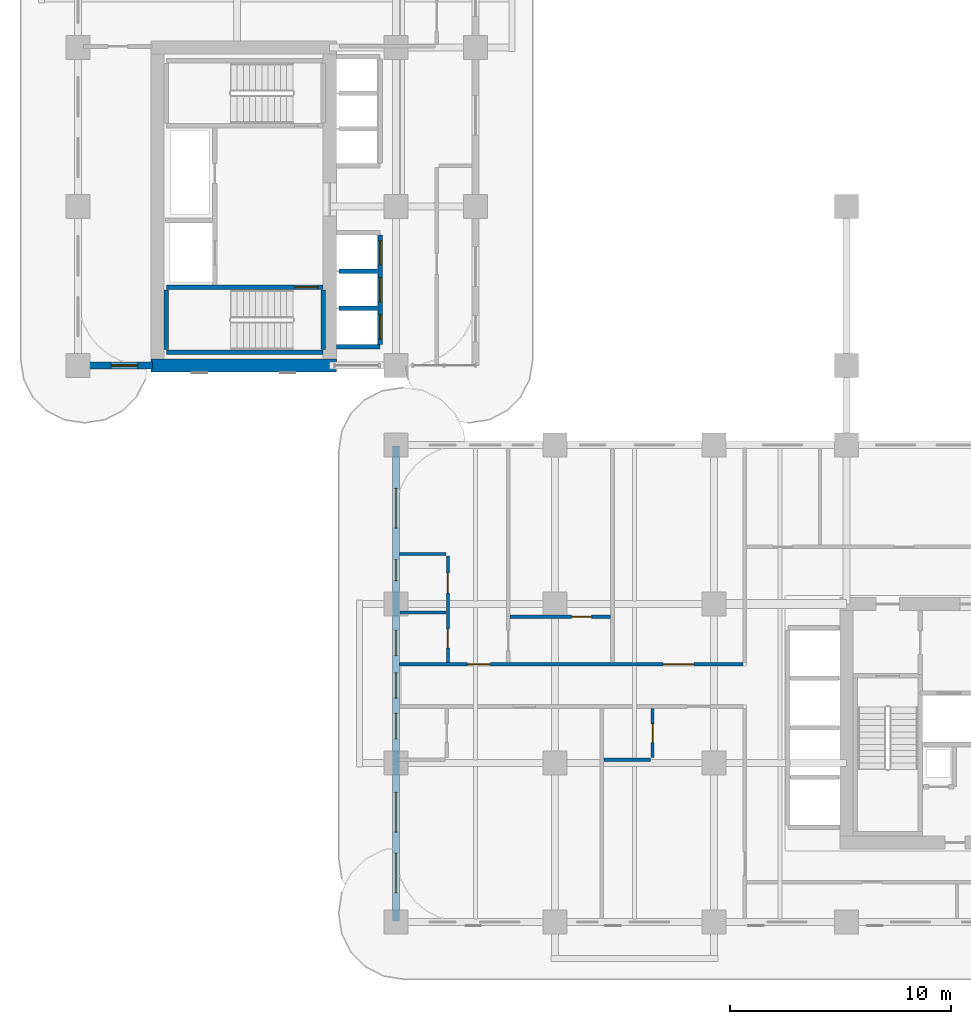
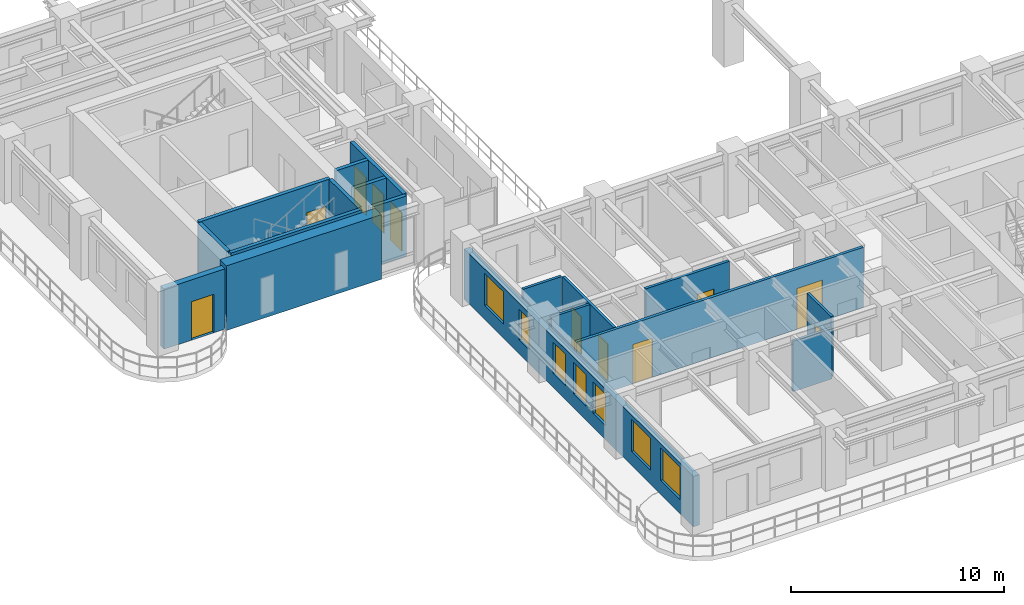
# One storey, part 7 of 19: 18 walls, 11 doors, 7 windows, 18 openings.
"""IFC4 building model written with IfcOpenShell, lengths in metres."""

from ifc_helpers import new_model, si_unit, derived_unit, direction, frame, frame_2d, origin, place, context, subcontext, project, spatial, rectangle, extrude, source, transform, mapped, material, layer, layer_set, type_object, type_shapes, element, fill, save


model = new_model("IFC4")

# Units and contexts
model_context = context("Model", 3, precision=1e-05, world=origin(), true_north=direction((0.0, 1.0)))
body_context = subcontext(model_context, "Body", "Model", "MODEL_VIEW")
ifc_project = project(units=[si_unit("LENGTHUNIT", "METRE"), si_unit("AREAUNIT", "SQUARE_METRE"), si_unit("VOLUMEUNIT", "CUBIC_METRE"), si_unit("PLANEANGLEUNIT", "RADIAN"), si_unit("MASSUNIT", "GRAM", prefix="KILO"), si_unit("THERMODYNAMICTEMPERATUREUNIT", "KELVIN"), si_unit("POWERUNIT", "WATT"), derived_unit("THERMALTRANSMITTANCEUNIT", [(si_unit("POWERUNIT", "WATT"), 1), (si_unit("AREAUNIT", "SQUARE_METRE"), -1), (si_unit("THERMODYNAMICTEMPERATUREUNIT", "KELVIN"), -1)])], contexts=[model_context])

# Site, building, storey
site_placement = place(None, origin())
site = spatial("IfcSite", under=ifc_project, at=site_placement, CompositionType="ELEMENT")
building_placement = place(site_placement, origin())
building = spatial("IfcBuilding", under=site, at=building_placement, Name="Zahravan Archway Hotel and Residences", CompositionType="ELEMENT")
storey_placement = place(building_placement, frame((0.0, 0.0, 39.800048828125)))
storey = spatial("IfcBuildingStorey", under=building, at=storey_placement, Name="L08", CompositionType="ELEMENT", Elevation=39.800048828125)

# Wall
ifc_material_1 = material(Name="Concrete C70/85", Category="concrete")
ifc_layer_1 = layer(ifc_material_1, 0.60009765625, Name="Concrete C70/85", Category="concrete")
ifc_layer_set_1 = layer_set([ifc_layer_1], Name="Concrete C70/85")
wall_type_1 = type_object("IfcWallType", Name="CW-CORE-600", PredefinedType="SHEAR", material=ifc_layer_set_1)
wall_1_placement = place(storey_placement, frame((3.300048828125, 25.199951171875, 0.0), z_axis=(0.0, 0.0, 1.0), x_axis=(1.0, 0.0, 0.0)))
element("IfcWall", 1, at=wall_1_placement, inside=storey, type_object=wall_type_1, Name="L08 Core B Shear S Wall 600 mm", PredefinedType="SHEAR", context=body_context, shape_type="SweptSolid", body=[
    extrude(rectangle(XDim=8.39990234375, YDim=0.60009765625, at=frame_2d((4.199951171875, 0.0))), origin(), (0.0, 0.0, 1.0), 3.699951171875),
])

# Wall, openings, windows
ifc_material_2 = material(Name="Agra Buff Sandstone & Insulated Backup", Category="masonry")
ifc_layer_2 = layer(ifc_material_2, 0.320068359375, Name="Agra Buff Sandstone & Insulated Backup", Category="masonry")
ifc_layer_set_2 = layer_set([ifc_layer_2], Name="Agra Buff Sandstone & Insulated Backup")
wall_type_2 = type_object("IfcWallType", Name="EW-SAND-320", PredefinedType="SOLIDWALL", material=ifc_layer_set_2)
wall_2_placement = place(storey_placement, frame((14.39990234375, 0.050048828125, 0.0), z_axis=(0.0, 0.0, 1.0), x_axis=(0.0, 1.0, 0.0)))
wall_2 = element("IfcWall", 2, at=wall_2_placement, inside=storey, type_object=wall_type_2, Name="L08 Exterior Sandstone Wall WA-W", PredefinedType="SOLIDWALL", context=body_context, shape_type="SweptSolid", body=[
    extrude(rectangle(XDim=21.5, YDim=0.320068359375, at=frame_2d((10.75, 0.0))), origin(), (0.0, 0.0, 1.0), 2.885009765625),
])
opening_1_placement = place(wall_2_placement, frame((1.27490234375, 0.0, 0.800048828125)))
opening_1 = element("IfcOpeningElement", 3, at=opening_1_placement, cuts=wall_2, Name="Opening W-02", PredefinedType="OPENING", context=body_context, shape_type="SweptSolid", body=[
    extrude(rectangle(XDim=1.800048828125, YDim=1.85009765625, at=frame_2d((0.89990234375, 0.925048828125))), frame((0.0, 0.169921875, 0.0), z_axis=(0.0, -1.0, 0.0), x_axis=(1.0, 0.0, 0.0)), (0.0, 0.0, 1.0), 0.340087890625),
])
opening_2_placement = place(wall_2_placement, frame((4.02490234375, 0.0, 0.800048828125)))
opening_2 = element("IfcOpeningElement", 4, at=opening_2_placement, cuts=wall_2, Name="Opening W-02", PredefinedType="OPENING", context=body_context, shape_type="SweptSolid", body=[
    extrude(rectangle(XDim=1.800048828125, YDim=1.85009765625, at=frame_2d((0.89990234375, 0.925048828125))), frame((0.0, 0.169921875, 0.0), z_axis=(0.0, -1.0, 0.0), x_axis=(1.0, 0.0, 0.0)), (0.0, 0.0, 1.0), 0.340087890625),
])
opening_3_placement = place(wall_2_placement, frame((8.24609375, 0.0, 0.800048828125)))
opening_3 = element("IfcOpeningElement", 5, at=opening_3_placement, cuts=wall_2, Name="Opening W-05", PredefinedType="OPENING", context=body_context, shape_type="SweptSolid", body=[
    extrude(rectangle(XDim=1.14990234375, YDim=1.800048828125, at=frame_2d((0.574951171875, 0.89990234375))), frame((0.0, 0.169921875, 0.0), z_axis=(0.0, -1.0, 0.0), x_axis=(1.0, 0.0, 0.0)), (0.0, 0.0, 1.0), 0.340087890625),
])
opening_4_placement = place(wall_2_placement, frame((10.0849609375, 0.0, 0.800048828125)))
opening_4 = element("IfcOpeningElement", 6, at=opening_4_placement, cuts=wall_2, Name="Opening W-05", PredefinedType="OPENING", context=body_context, shape_type="SweptSolid", body=[
    extrude(rectangle(XDim=1.14990234375, YDim=1.800048828125, at=frame_2d((0.574951171875, 0.89990234375))), frame((0.0, 0.169921875, 0.0), z_axis=(0.0, -1.0, 0.0), x_axis=(1.0, 0.0, 0.0)), (0.0, 0.0, 1.0), 0.340087890625),
])
opening_5_placement = place(wall_2_placement, frame((12.013916015625, 0.0, 0.800048828125)))
opening_5 = element("IfcOpeningElement", 7, at=opening_5_placement, cuts=wall_2, Name="Opening W-05", PredefinedType="OPENING", context=body_context, shape_type="SweptSolid", body=[
    extrude(rectangle(XDim=1.14990234375, YDim=1.800048828125, at=frame_2d((0.574951171875, 0.89990234375))), frame((0.0, 0.169921875, 0.0), z_axis=(0.0, -1.0, 0.0), x_axis=(1.0, 0.0, 0.0)), (0.0, 0.0, 1.0), 0.340087890625),
])
opening_6_placement = place(wall_2_placement, frame((15.406005859375, 0.0, 0.800048828125)))
opening_6 = element("IfcOpeningElement", 8, at=opening_6_placement, cuts=wall_2, Name="Opening W-04", PredefinedType="OPENING", context=body_context, shape_type="SweptSolid", body=[
    extrude(rectangle(XDim=0.949951171875, YDim=1.75, at=frame_2d((0.47509765625, 0.875))), frame((0.0, 0.169921875, 0.0), z_axis=(0.0, -1.0, 0.0), x_axis=(1.0, 0.0, 0.0)), (0.0, 0.0, 1.0), 0.340087890625),
])
opening_7_placement = place(wall_2_placement, frame((17.7890625, 0.0, 0.800048828125)))
opening_7 = element("IfcOpeningElement", 9, at=opening_7_placement, cuts=wall_2, Name="Opening W-02", PredefinedType="OPENING", context=body_context, shape_type="SweptSolid", body=[
    extrude(rectangle(XDim=1.800048828125, YDim=1.85009765625, at=frame_2d((0.89990234375, 0.925048828125))), frame((0.0, 0.169921875, 0.0), z_axis=(0.0, -1.0, 0.0), x_axis=(1.0, 0.0, 0.0)), (0.0, 0.0, 1.0), 0.340087890625),
])
ifc_material_3 = material(Name="Bronze-Anodized Thermal-Break Aluminium & Low-E Glass", Category="aluminium")
window_type_1 = type_object("IfcWindowType", Name="WIN-NAR-950", PartitioningType="SINGLE_PANEL", PredefinedType="WINDOW", material=ifc_material_3)
shared_shape_1 = source(origin(), body_context, "Body", "SweptSolid", [
    extrude(rectangle(XDim=0.949951171875, YDim=1.75, at=frame_2d((0.47509765625, 0.875))), frame((0.0, 0.030029296875, 0.0), z_axis=(0.0, -1.0, 0.0), x_axis=(1.0, 0.0, 0.0)), (0.0, 0.0, 1.0), 0.06005859375),
])
type_shapes(window_type_1, [shared_shape_1])
window_1_placement = place(opening_6_placement, origin())
window_1 = element("IfcWindow", 10, at=window_1_placement, inside=storey, type_object=window_type_1, Name="L08 Loggia Window 33", OverallHeight=1.75, OverallWidth=0.949951171875, PartitioningType="SINGLE_PANEL", PredefinedType="WINDOW", context=body_context, shape_type="MappedRepresentation", body=[
    mapped(shared_shape_1, transform((0.0, 0.0, 0.0), scale=1.0)),
])
fill(opening_6, window_1)
window_type_2 = type_object("IfcWindowType", Name="WIN-TWR-1800", PartitioningType="DOUBLE_PANEL_VERTICAL", PredefinedType="WINDOW", material=ifc_material_3)
shared_shape_2 = source(origin(), body_context, "Body", "SweptSolid", [
    extrude(rectangle(XDim=1.800048828125, YDim=1.85009765625, at=frame_2d((0.89990234375, 0.925048828125))), frame((0.0, 0.030029296875, 0.0), z_axis=(0.0, -1.0, 0.0), x_axis=(1.0, 0.0, 0.0)), (0.0, 0.0, 1.0), 0.06005859375),
])
type_shapes(window_type_2, [shared_shape_2])
window_2_placement = place(opening_1_placement, origin())
window_2 = element("IfcWindow", 11, at=window_2_placement, inside=storey, type_object=window_type_2, Name="L08 Loggia Window 28", OverallHeight=1.85009765625, OverallWidth=1.800048828125, PartitioningType="DOUBLE_PANEL_VERTICAL", PredefinedType="WINDOW", context=body_context, shape_type="MappedRepresentation", body=[
    mapped(shared_shape_2, transform((0.0, 0.0, 0.0), scale=1.0)),
])
fill(opening_1, window_2)
window_3_placement = place(opening_2_placement, origin())
window_3 = element("IfcWindow", 12, at=window_3_placement, inside=storey, type_object=window_type_2, Name="L08 Loggia Window 29", OverallHeight=1.85009765625, OverallWidth=1.800048828125, PartitioningType="DOUBLE_PANEL_VERTICAL", PredefinedType="WINDOW", context=body_context, shape_type="MappedRepresentation", body=[
    mapped(shared_shape_2, transform((0.0, 0.0, 0.0), scale=1.0)),
])
fill(opening_2, window_3)
window_4_placement = place(opening_7_placement, origin())
window_4 = element("IfcWindow", 13, at=window_4_placement, inside=storey, type_object=window_type_2, Name="L08 Loggia Window 34", OverallHeight=1.85009765625, OverallWidth=1.800048828125, PartitioningType="DOUBLE_PANEL_VERTICAL", PredefinedType="WINDOW", context=body_context, shape_type="MappedRepresentation", body=[
    mapped(shared_shape_2, transform((0.0, 0.0, 0.0), scale=1.0)),
])
fill(opening_7, window_4)
window_type_3 = type_object("IfcWindowType", Name="WIN-TWR-1150", PartitioningType="SINGLE_PANEL", PredefinedType="WINDOW", material=ifc_material_3)
shared_shape_3 = source(origin(), body_context, "Body", "SweptSolid", [
    extrude(rectangle(XDim=1.14990234375, YDim=1.800048828125, at=frame_2d((0.574951171875, 0.89990234375))), frame((0.0, 0.030029296875, 0.0), z_axis=(0.0, -1.0, 0.0), x_axis=(1.0, 0.0, 0.0)), (0.0, 0.0, 1.0), 0.06005859375),
])
type_shapes(window_type_3, [shared_shape_3])
window_5_placement = place(opening_3_placement, origin())
window_5 = element("IfcWindow", 14, at=window_5_placement, inside=storey, type_object=window_type_3, Name="L08 Loggia Window 30", OverallHeight=1.800048828125, OverallWidth=1.14990234375, PartitioningType="SINGLE_PANEL", PredefinedType="WINDOW", context=body_context, shape_type="MappedRepresentation", body=[
    mapped(shared_shape_3, transform((0.0, 0.0, 0.0), scale=1.0)),
])
fill(opening_3, window_5)
window_6_placement = place(opening_4_placement, origin())
window_6 = element("IfcWindow", 15, at=window_6_placement, inside=storey, type_object=window_type_3, Name="L08 Loggia Window 31", OverallHeight=1.800048828125, OverallWidth=1.14990234375, PartitioningType="SINGLE_PANEL", PredefinedType="WINDOW", context=body_context, shape_type="MappedRepresentation", body=[
    mapped(shared_shape_3, transform((0.0, 0.0, 0.0), scale=1.0)),
])
fill(opening_4, window_6)
window_7_placement = place(opening_5_placement, origin())
window_7 = element("IfcWindow", 16, at=window_7_placement, inside=storey, type_object=window_type_3, Name="L08 Loggia Window 32", OverallHeight=1.800048828125, OverallWidth=1.14990234375, PartitioningType="SINGLE_PANEL", PredefinedType="WINDOW", context=body_context, shape_type="MappedRepresentation", body=[
    mapped(shared_shape_3, transform((0.0, 0.0, 0.0), scale=1.0)),
])
fill(opening_5, window_7)

# Wall, opening, door
wall_3_placement = place(storey_placement, frame((0.0, 25.199951171875, 0.0), z_axis=(0.0, 0.0, 1.0), x_axis=(1.0, 0.0, 0.0)))
wall_3 = element("IfcWall", 17, at=wall_3_placement, inside=storey, type_object=wall_type_2, Name="L08 Exterior Sandstone Wall WB-SW", PredefinedType="SOLIDWALL", context=body_context, shape_type="SweptSolid", body=[
    extrude(rectangle(XDim=3.3798828125, YDim=0.320068359375, at=frame_2d((1.68994140625, 0.0))), origin(), (0.0, 0.0, 1.0), 3.449951171875),
])
opening_8_placement = place(wall_3_placement, frame((1.5, 0.0, 0.0)))
opening_8 = element("IfcOpeningElement", 18, at=opening_8_placement, cuts=wall_3, Name="Opening ED-BL1", PredefinedType="OPENING", context=body_context, shape_type="SweptSolid", body=[
    extrude(rectangle(XDim=1.199951171875, YDim=2.199951171875, at=frame_2d((0.60009765625, 1.10009765625))), frame((0.0, 0.169921875, 0.0), z_axis=(0.0, -1.0, 0.0), x_axis=(1.0, 0.0, 0.0)), (0.0, 0.0, 1.0), 0.340087890625),
])
ifc_material_4 = material(Name="Bronze-Anodized Glazed Aluminium", Category="aluminium")
door_type_1 = type_object("IfcDoorType", Name="ED-BALC-1200", OperationType="SLIDING_TO_LEFT", PredefinedType="DOOR", material=ifc_material_4)
shared_shape_4 = source(origin(), body_context, "Body", "SweptSolid", [
    extrude(rectangle(XDim=1.199951171875, YDim=2.199951171875, at=frame_2d((0.60009765625, 1.10009765625))), frame((0.0, 0.02490234375, 0.0), z_axis=(0.0, -1.0, 0.0), x_axis=(1.0, 0.0, 0.0)), (0.0, 0.0, 1.0), 0.050048828125),
])
type_shapes(door_type_1, [shared_shape_4])
door_1_placement = place(opening_8_placement, origin())
door_1 = element("IfcDoor", 19, at=door_1_placement, inside=storey, type_object=door_type_1, Name="L08 Outdoor Access Sliding Door (SLB-BAL-L08-WB)", OperationType="SLIDING_TO_LEFT", OverallHeight=2.199951171875, OverallWidth=1.199951171875, PredefinedType="DOOR", context=body_context, shape_type="MappedRepresentation", body=[
    mapped(shared_shape_4, transform((0.0, 0.0, 0.0), scale=1.0)),
])
fill(opening_8, door_1)

# Wall, openings, doors
ifc_material_5 = material(Name="Fire-Rated Gypsum & Concrete Block", Category="concrete")
ifc_layer_3 = layer(ifc_material_5, 0.159912109375, Name="Fire-Rated Gypsum & Concrete Block", Category="concrete")
ifc_layer_set_3 = layer_set([ifc_layer_3], Name="Fire-Rated Gypsum & Concrete Block")
wall_type_3 = type_object("IfcWallType", Name="PW-CORR-160", PredefinedType="PARTITIONING", material=ifc_layer_set_3)
wall_4_placement = place(storey_placement, frame((14.568115234375, 11.669921875, 0.0), z_axis=(0.0, 0.0, 1.0), x_axis=(1.0, 0.0, 0.0)))
wall_4 = element("IfcWall", 20, at=wall_4_placement, inside=storey, type_object=wall_type_3, Name="L08 Partition WA-CN", PredefinedType="PARTITIONING", context=body_context, shape_type="SweptSolid", body=[
    extrude(rectangle(XDim=15.5419921875, YDim=0.159912109375, at=frame_2d((7.77099609375, 0.0))), origin(), (0.0, 0.0, 1.0), 3.449951171875),
])
opening_9_placement = place(wall_4_placement, frame((3.06201171875, 0.0, 0.0)))
opening_9 = element("IfcOpeningElement", 21, at=opening_9_placement, cuts=wall_4, Name="Opening D-U1", PredefinedType="OPENING", context=body_context, shape_type="SweptSolid", body=[
    extrude(rectangle(XDim=1.050048828125, YDim=2.25, at=frame_2d((0.52490234375, 1.125))), frame((0.0, 0.08984375, 0.0), z_axis=(0.0, -1.0, 0.0), x_axis=(1.0, 0.0, 0.0)), (0.0, 0.0, 1.0), 0.179931640625),
])
opening_10_placement = place(wall_4_placement, frame((11.931884765625, 0.0, 0.0)))
opening_10 = element("IfcOpeningElement", 22, at=opening_10_placement, cuts=wall_4, Name="Opening D-P1", PredefinedType="OPENING", context=body_context, shape_type="SweptSolid", body=[
    extrude(rectangle(XDim=1.39990234375, YDim=2.35009765625, at=frame_2d((0.699951171875, 1.175048828125))), frame((0.0, 0.08984375, 0.0), z_axis=(0.0, -1.0, 0.0), x_axis=(1.0, 0.0, 0.0)), (0.0, 0.0, 1.0), 0.179931640625),
])
door_type_2 = type_object("IfcDoorType", Name="ID-PUBLIC-1400", OperationType="DOUBLE_DOOR_SINGLE_SWING", PredefinedType="DOOR", material=ifc_material_4)
shared_shape_5 = source(origin(), body_context, "Body", "SweptSolid", [
    extrude(rectangle(XDim=1.39990234375, YDim=2.35009765625, at=frame_2d((0.699951171875, 1.175048828125))), frame((0.0, 0.02490234375, 0.0), z_axis=(0.0, -1.0, 0.0), x_axis=(1.0, 0.0, 0.0)), (0.0, 0.0, 1.0), 0.050048828125),
])
type_shapes(door_type_2, [shared_shape_5])
door_2_placement = place(opening_10_placement, origin())
door_2 = element("IfcDoor", 23, at=door_2_placement, inside=storey, type_object=door_type_2, Name="L08 Portal Majlis Door", OperationType="DOUBLE_DOOR_SINGLE_SWING", OverallHeight=2.35009765625, OverallWidth=1.39990234375, PredefinedType="DOOR", context=body_context, shape_type="MappedRepresentation", body=[
    mapped(shared_shape_5, transform((0.0, 0.0, 0.0), scale=1.0)),
])
fill(opening_10, door_2)
ifc_material_6 = material(Name="Hardwood Veneer Timber", Category="wood")
door_type_3 = type_object("IfcDoorType", Name="ID-UNIT-1050", OperationType="NOTDEFINED", PredefinedType="DOOR", material=ifc_material_6)
shared_shape_6 = source(origin(), body_context, "Body", "SweptSolid", [
    extrude(rectangle(XDim=1.050048828125, YDim=2.25, at=frame_2d((0.52490234375, 1.125))), frame((0.0, 0.02490234375, 0.0), z_axis=(0.0, -1.0, 0.0), x_axis=(1.0, 0.0, 0.0)), (0.0, 0.0, 1.0), 0.050048828125),
])
type_shapes(door_type_3, [shared_shape_6])
door_3_placement = place(opening_9_placement, origin())
door_3 = element("IfcDoor", 24, at=door_3_placement, inside=storey, type_object=door_type_3, Name="L08 Flat PN1 Entrance Door", OperationType="SINGLE_SWING_RIGHT", OverallHeight=2.25, OverallWidth=1.050048828125, PredefinedType="DOOR", context=body_context, shape_type="MappedRepresentation", body=[
    mapped(shared_shape_6, transform((0.0, 0.0, 0.0), scale=1.0)),
])
fill(opening_9, door_3)

# Wall
ifc_layer_4 = layer(ifc_material_5, 0.199951171875, Name="Fire-Rated Gypsum & Concrete Block", Category="concrete")
ifc_layer_set_4 = layer_set([ifc_layer_4], Name="Fire-Rated Gypsum & Concrete Block")
wall_type_4 = type_object("IfcWallType", Name="PW-SHAFT-200", PredefinedType="PARTITIONING", material=ifc_layer_set_4)
wall_5_placement = place(storey_placement, frame((11.7099609375, 26.050048828125, 0.0), z_axis=(0.0, 0.0, 1.0), x_axis=(1.0, 0.0, 0.0)))
element("IfcWall", 25, at=wall_5_placement, inside=storey, type_object=wall_type_4, Name="L08 Partition B1-S", PredefinedType="PARTITIONING", context=body_context, shape_type="SweptSolid", body=[
    extrude(rectangle(XDim=1.9599609375, YDim=0.199951171875, at=frame_2d((0.97998046875, 0.0))), origin(), (0.0, 0.0, 1.0), 3.449951171875),
])

# Wall, openings, doors
wall_6_placement = place(storey_placement, frame((13.679931640625, 26.159912109375, 0.0), z_axis=(0.0, 0.0, 1.0), x_axis=(0.0, 1.0, 0.0)))
wall_6 = element("IfcWall", 26, at=wall_6_placement, inside=storey, type_object=wall_type_4, Name="L08 Partition B1-E", PredefinedType="PARTITIONING", context=body_context, shape_type="SweptSolid", body=[
    extrude(rectangle(XDim=4.940185546875, YDim=0.199951171875, at=frame_2d((2.47021484375, 0.0))), origin(), (0.0, 0.0, 1.0), 3.449951171875),
])
opening_11_placement = place(wall_6_placement, frame((0.239990234375, 0.0, 0.0)))
opening_11 = element("IfcOpeningElement", 27, at=opening_11_placement, cuts=wall_6, Name="Opening LD", PredefinedType="OPENING", context=body_context, shape_type="SweptSolid", body=[
    extrude(rectangle(XDim=1.10009765625, YDim=2.199951171875, at=frame_2d((0.550048828125, 1.10009765625))), frame((0.0, 0.10986328125, 0.0), z_axis=(0.0, -1.0, 0.0), x_axis=(1.0, 0.0, 0.0)), (0.0, 0.0, 1.0), 0.219970703125),
])
opening_12_placement = place(wall_6_placement, frame((1.919921875, 0.0, 0.0)))
opening_12 = element("IfcOpeningElement", 28, at=opening_12_placement, cuts=wall_6, Name="Opening LD", PredefinedType="OPENING", context=body_context, shape_type="SweptSolid", body=[
    extrude(rectangle(XDim=1.10009765625, YDim=2.199951171875, at=frame_2d((0.550048828125, 1.10009765625))), frame((0.0, 0.10986328125, 0.0), z_axis=(0.0, -1.0, 0.0), x_axis=(1.0, 0.0, 0.0)), (0.0, 0.0, 1.0), 0.219970703125),
])
opening_13_placement = place(wall_6_placement, frame((3.60009765625, 0.0, 0.0)))
opening_13 = element("IfcOpeningElement", 29, at=opening_13_placement, cuts=wall_6, Name="Opening LD", PredefinedType="OPENING", context=body_context, shape_type="SweptSolid", body=[
    extrude(rectangle(XDim=1.10009765625, YDim=2.199951171875, at=frame_2d((0.550048828125, 1.10009765625))), frame((0.0, 0.10986328125, 0.0), z_axis=(0.0, -1.0, 0.0), x_axis=(1.0, 0.0, 0.0)), (0.0, 0.0, 1.0), 0.219970703125),
])
ifc_material_7 = material(Name="Brushed Stainless Steel", Category="steel")
door_type_4 = type_object("IfcDoorType", Name="DR-LIFT-LD", OperationType="SLIDING_TO_LEFT", PredefinedType="DOOR", material=ifc_material_7)
shared_shape_7 = source(origin(), body_context, "Body", "SweptSolid", [
    extrude(rectangle(XDim=1.10009765625, YDim=2.199951171875, at=frame_2d((0.550048828125, 1.10009765625))), frame((0.0, 0.02490234375, 0.0), z_axis=(0.0, -1.0, 0.0), x_axis=(1.0, 0.0, 0.0)), (0.0, 0.0, 1.0), 0.050048828125),
])
type_shapes(door_type_4, [shared_shape_7])
door_4_placement = place(opening_11_placement, origin())
door_4 = element("IfcDoor", 30, at=door_4_placement, inside=storey, type_object=door_type_4, Name="L08 Lift LP-1 Sliding Landing Door", OperationType="SLIDING_TO_LEFT", OverallHeight=2.199951171875, OverallWidth=1.10009765625, PredefinedType="DOOR", context=body_context, shape_type="MappedRepresentation", body=[
    mapped(shared_shape_7, transform((0.0, 0.0, 0.0), scale=1.0)),
])
fill(opening_11, door_4)
door_5_placement = place(opening_12_placement, origin())
door_5 = element("IfcDoor", 31, at=door_5_placement, inside=storey, type_object=door_type_4, Name="L08 Lift LP-2 Sliding Landing Door", OperationType="SLIDING_TO_LEFT", OverallHeight=2.199951171875, OverallWidth=1.10009765625, PredefinedType="DOOR", context=body_context, shape_type="MappedRepresentation", body=[
    mapped(shared_shape_7, transform((0.0, 0.0, 0.0), scale=1.0)),
])
fill(opening_12, door_5)
door_6_placement = place(opening_13_placement, origin())
door_6 = element("IfcDoor", 32, at=door_6_placement, inside=storey, type_object=door_type_4, Name="L08 Lift LP-3 Sliding Landing Door", OperationType="SLIDING_TO_LEFT", OverallHeight=2.199951171875, OverallWidth=1.10009765625, PredefinedType="DOOR", context=body_context, shape_type="MappedRepresentation", body=[
    mapped(shared_shape_7, transform((0.0, 0.0, 0.0), scale=1.0)),
])
fill(opening_13, door_6)

# Walls
for number, where, z_axis, x_axis, name in (
    (33, (11.81005859375, 27.7900390625, 0.0), (0.0, 0.0, 1.0), (1.0, 0.0, 0.0), "L08 Partition B1-D"),
    (34, (11.81005859375, 29.469970703125, 0.0), (0.0, 0.0, 1.0), (1.0, 0.0, 0.0), "L08 Partition B1-D"),
):
    element("IfcWall", number, at=place(storey_placement, frame(where, z_axis=z_axis, x_axis=x_axis)), inside=storey, type_object=wall_type_4, Name=name, PredefinedType="PARTITIONING", context=body_context, shape_type="SweptSolid", body=[
        extrude(rectangle(XDim=1.760009765625, YDim=0.199951171875, at=frame_2d((0.8798828125, 0.0))), origin(), (0.0, 0.0, 1.0), 3.449951171875),
    ])

# Wall, opening, door
ifc_material_8 = material(Name="Acoustic Stud Partition")
ifc_layer_5 = layer(ifc_material_8, 0.14990234375, Name="Acoustic Stud Partition")
ifc_layer_set_5 = layer_set([ifc_layer_5], Name="Acoustic Stud Partition")
wall_type_5 = type_object("IfcWallType", Name="PW-UNIT-150", PredefinedType="PARTITIONING", material=ifc_layer_set_5)
wall_7_placement = place(storey_placement, frame((19.570068359375, 13.820068359375, 0.0), z_axis=(0.0, 0.0, 1.0), x_axis=(1.0, 0.0, 0.0)))
wall_7 = element("IfcWall", 35, at=wall_7_placement, inside=storey, type_object=wall_type_5, Name="L08 Partition FL-PN1-GH", PredefinedType="PARTITIONING", context=body_context, shape_type="SweptSolid", body=[
    extrude(rectangle(XDim=4.5400390625, YDim=0.14990234375, at=frame_2d((2.27001953125, 0.0))), origin(), (0.0, 0.0, 1.0), 3.449951171875),
])
opening_14_placement = place(wall_7_placement, frame((2.788330078125, 0.0, 0.0)))
opening_14 = element("IfcOpeningElement", 36, at=opening_14_placement, cuts=wall_7, Name="Opening D-I2", PredefinedType="OPENING", context=body_context, shape_type="SweptSolid", body=[
    extrude(rectangle(XDim=0.89990234375, YDim=2.14990234375, at=frame_2d((0.449951171875, 1.074951171875))), frame((0.0, 0.0849609375, 0.0), z_axis=(0.0, -1.0, 0.0), x_axis=(1.0, 0.0, 0.0)), (0.0, 0.0, 1.0), 0.169921875),
])
door_type_5 = type_object("IfcDoorType", Name="ID-INT-900", OperationType="NOTDEFINED", PredefinedType="DOOR", material=ifc_material_6)
shared_shape_8 = source(origin(), body_context, "Body", "SweptSolid", [
    extrude(rectangle(XDim=0.89990234375, YDim=2.14990234375, at=frame_2d((0.449951171875, 1.074951171875))), frame((0.0, 0.02490234375, 0.0), z_axis=(0.0, -1.0, 0.0), x_axis=(1.0, 0.0, 0.0)), (0.0, 0.0, 1.0), 0.050048828125),
])
type_shapes(door_type_5, [shared_shape_8])
door_7_placement = place(opening_14_placement, origin())
door_7 = element("IfcDoor", 37, at=door_7_placement, inside=storey, type_object=door_type_5, Name="L08 Flat PN1 Bedroom 1 Door", OperationType="SINGLE_SWING_RIGHT", OverallHeight=2.14990234375, OverallWidth=0.89990234375, PredefinedType="DOOR", context=body_context, shape_type="MappedRepresentation", body=[
    mapped(shared_shape_8, transform((0.0, 0.0, 0.0), scale=1.0)),
])
fill(opening_14, door_7)

ifc_material_9 = material(Name="Moisture-Resistant Blockwork", Category="masonry")
ifc_layer_6 = layer(ifc_material_9, 0.139892578125, Name="Moisture-Resistant Blockwork", Category="masonry")
ifc_layer_set_6 = layer_set([ifc_layer_6], Name="Moisture-Resistant Blockwork")
wall_type_6 = type_object("IfcWallType", Name="PW-WET-140", PredefinedType="PARTITIONING", material=ifc_layer_set_6)
wall_8_placement = place(storey_placement, frame((26.02001953125, 7.43994140625, 0.0), z_axis=(0.0, 0.0, 1.0), x_axis=(0.0, 1.0, 0.0)))
wall_8 = element("IfcWall", 38, at=wall_8_placement, inside=storey, type_object=wall_type_6, Name="L08 Partition HKB-V12", PredefinedType="PARTITIONING", context=body_context, shape_type="SweptSolid", body=[
    extrude(rectangle(XDim=2.219970703125, YDim=0.139892578125, at=frame_2d((1.10986328125, 0.0))), origin(), (0.0, 0.0, 1.0), 3.449951171875),
])
opening_15_placement = place(wall_8_placement, frame((0.68505859375, 0.0, 0.0)))
opening_15 = element("IfcOpeningElement", 39, at=opening_15_placement, cuts=wall_8, Name="Opening D-B1", PredefinedType="OPENING", context=body_context, shape_type="SweptSolid", body=[
    extrude(rectangle(XDim=0.85009765625, YDim=2.10009765625, at=frame_2d((0.425048828125, 1.050048828125))), frame((0.0, 0.080078125, 0.0), z_axis=(0.0, -1.0, 0.0), x_axis=(1.0, 0.0, 0.0)), (0.0, 0.0, 1.0), 0.159912109375),
])
door_type_6 = type_object("IfcDoorType", Name="ID-BATH-850", OperationType="NOTDEFINED", PredefinedType="DOOR", material=ifc_material_6)
shared_shape_9 = source(origin(), body_context, "Body", "SweptSolid", [
    extrude(rectangle(XDim=0.85009765625, YDim=2.10009765625, at=frame_2d((0.425048828125, 1.050048828125))), frame((0.0, 0.02490234375, 0.0), z_axis=(0.0, -1.0, 0.0), x_axis=(1.0, 0.0, 0.0)), (0.0, 0.0, 1.0), 0.050048828125),
])
type_shapes(door_type_6, [shared_shape_9])
door_8_placement = place(opening_15_placement, origin())
door_8 = element("IfcDoor", 40, at=door_8_placement, inside=storey, type_object=door_type_6, Name="L08 Guestroom 12 En-Suite Door", OperationType="SINGLE_SWING_RIGHT", OverallHeight=2.10009765625, OverallWidth=0.85009765625, PredefinedType="DOOR", context=body_context, shape_type="MappedRepresentation", body=[
    mapped(shared_shape_9, transform((0.0, 0.0, 0.0), scale=1.0)),
])
fill(opening_15, door_8)

# Wall
wall_9_placement = place(storey_placement, frame((23.81005859375, 7.35009765625, 0.0), z_axis=(0.0, 0.0, 1.0), x_axis=(1.0, 0.0, 0.0)))
element("IfcWall", 41, at=wall_9_placement, inside=storey, type_object=wall_type_6, Name="L08 Partition HKB-H12", PredefinedType="PARTITIONING", context=body_context, shape_type="SweptSolid", body=[
    extrude(rectangle(XDim=2.119873046875, YDim=0.139892578125, at=frame_2d((1.06005859375, 0.0))), origin(), (0.0, 0.0, 1.0), 2.885009765625),
])

# Wall, openings, doors
wall_10_placement = place(storey_placement, frame((16.75, 11.760009765625, 0.0), z_axis=(0.0, 0.0, 1.0), x_axis=(0.0, 1.0, 0.0)))
wall_10 = element("IfcWall", 42, at=wall_10_placement, inside=storey, type_object=wall_type_6, Name="L08 Partition FL-PN1-BV", PredefinedType="PARTITIONING", context=body_context, shape_type="SweptSolid", body=[
    extrude(rectangle(XDim=4.820068359375, YDim=0.139892578125, at=frame_2d((2.41015625, 0.0))), origin(), (0.0, 0.0, 1.0), 3.449951171875),
])
opening_16_placement = place(wall_10_placement, frame((0.659912109375, 0.0, 0.0)))
opening_16 = element("IfcOpeningElement", 43, at=opening_16_placement, cuts=wall_10, Name="Opening D-B1", PredefinedType="OPENING", context=body_context, shape_type="SweptSolid", body=[
    extrude(rectangle(XDim=0.85009765625, YDim=2.10009765625, at=frame_2d((0.425048828125, 1.050048828125))), frame((0.0, 0.080078125, 0.0), z_axis=(0.0, -1.0, 0.0), x_axis=(1.0, 0.0, 0.0)), (0.0, 0.0, 1.0), 0.159912109375),
])
opening_17_placement = place(wall_10_placement, frame((3.135009765625, 0.0, 0.0)))
opening_17 = element("IfcOpeningElement", 44, at=opening_17_placement, cuts=wall_10, Name="Opening D-I2", PredefinedType="OPENING", context=body_context, shape_type="SweptSolid", body=[
    extrude(rectangle(XDim=0.89990234375, YDim=2.14990234375, at=frame_2d((0.449951171875, 1.074951171875))), frame((0.0, 0.080078125, 0.0), z_axis=(0.0, -1.0, 0.0), x_axis=(1.0, 0.0, 0.0)), (0.0, 0.0, 1.0), 0.159912109375),
])
door_9_placement = place(opening_16_placement, origin())
door_9 = element("IfcDoor", 45, at=door_9_placement, inside=storey, type_object=door_type_6, Name="L08 Flat PN1 Bathroom Door", OperationType="SINGLE_SWING_RIGHT", OverallHeight=2.10009765625, OverallWidth=0.85009765625, PredefinedType="DOOR", context=body_context, shape_type="MappedRepresentation", body=[
    mapped(shared_shape_9, transform((0.0, 0.0, 0.0), scale=1.0)),
])
fill(opening_16, door_9)
door_10_placement = place(opening_17_placement, origin())
door_10 = element("IfcDoor", 46, at=door_10_placement, inside=storey, type_object=door_type_5, Name="L08 Flat PN1 Kitchen Door", OperationType="SINGLE_SWING_LEFT", OverallHeight=2.14990234375, OverallWidth=0.89990234375, PredefinedType="DOOR", context=body_context, shape_type="MappedRepresentation", body=[
    mapped(shared_shape_8, transform((0.0, 0.0, 0.0), scale=1.0)),
])
fill(opening_17, door_10)

# Walls
wall_11_placement = place(storey_placement, frame((14.590087890625, 14.02001953125, 0.0), z_axis=(0.0, 0.0, 1.0), x_axis=(1.0, 0.0, 0.0)))
element("IfcWall", 47, at=wall_11_placement, inside=storey, type_object=wall_type_6, Name="L08 Partition FL-PN1-BM", PredefinedType="PARTITIONING", context=body_context, shape_type="SweptSolid", body=[
    extrude(rectangle(XDim=2.06982421875, YDim=0.139892578125, at=frame_2d((1.034912109375, 0.0))), origin(), (0.0, 0.0, 1.0), 3.449951171875),
])
wall_12_placement = place(storey_placement, frame((14.568115234375, 16.669921875, 0.0), z_axis=(0.0, 0.0, 1.0), x_axis=(1.0, 0.0, 0.0)))
element("IfcWall", 48, at=wall_12_placement, inside=storey, type_object=wall_type_6, Name="L08 Partition FL-PN1-KH", PredefinedType="PARTITIONING", context=body_context, shape_type="SweptSolid", body=[
    extrude(rectangle(XDim=2.091796875, YDim=0.139892578125, at=frame_2d((1.0458984375, 0.0))), origin(), (0.0, 0.0, 1.0), 3.449951171875),
])
ifc_material_10 = material(Name="Concrete C50/60", Category="concrete")
ifc_layer_7 = layer(ifc_material_10, 0.199951171875, Name="Concrete C50/60", Category="concrete")
ifc_layer_set_7 = layer_set([ifc_layer_7], Name="Concrete C50/60")
wall_type_7 = type_object("IfcWallType", Name="SW-STAIR-200", PredefinedType="SHEAR", material=ifc_layer_set_7)
wall_13_placement = place(storey_placement, frame((4.0, 25.800048828125, 0.0), z_axis=(0.0, 0.0, 1.0), x_axis=(1.0, 0.0, 0.0)))
element("IfcWall", 49, at=wall_13_placement, inside=storey, type_object=wall_type_7, Name="L08 Stairwell RC Wall CB-SB1S", PredefinedType="SHEAR", context=body_context, shape_type="SweptSolid", body=[
    extrude(rectangle(XDim=7.10009765625, YDim=0.199951171875, at=frame_2d((3.550048828125, 0.0))), origin(), (0.0, 0.0, 1.0), 3.699951171875),
])
for number, where, z_axis, x_axis, name in (
    (50, (4.0, 25.919921875, 0.0), (0.0, 0.0, 1.0), (0.0, 1.0, 0.0), "L08 Stairwell RC Wall CB-SB1W"),
    (51, (11.10009765625, 25.919921875, 0.0), (0.0, 0.0, 1.0), (0.0, 1.0, 0.0), "L08 Stairwell RC Wall CB-SB1E"),
):
    element("IfcWall", number, at=place(storey_placement, frame(where, z_axis=z_axis, x_axis=x_axis)), inside=storey, type_object=wall_type_7, Name=name, PredefinedType="SHEAR", context=body_context, shape_type="SweptSolid", body=[
        extrude(rectangle(XDim=2.7001953125, YDim=0.199951171875, at=frame_2d((1.35009765625, 0.0))), origin(), (0.0, 0.0, 1.0), 3.699951171875),
    ])

# Wall, opening, door
wall_14_placement = place(storey_placement, frame((4.0, 28.739990234375, 0.0), z_axis=(0.0, 0.0, 1.0), x_axis=(1.0, 0.0, 0.0)))
wall_14 = element("IfcWall", 52, at=wall_14_placement, inside=storey, type_object=wall_type_7, Name="L08 Stairwell RC Wall CB-SB1N", PredefinedType="SHEAR", context=body_context, shape_type="SweptSolid", body=[
    extrude(rectangle(XDim=7.10009765625, YDim=0.199951171875, at=frame_2d((3.550048828125, 0.0))), origin(), (0.0, 0.0, 1.0), 3.699951171875),
])
opening_18_placement = place(wall_14_placement, frame((5.81494140625, 0.0, 0.0)))
opening_18 = element("IfcOpeningElement", 53, at=opening_18_placement, cuts=wall_14, Name="Opening FD-S1", PredefinedType="OPENING", context=body_context, shape_type="SweptSolid", body=[
    extrude(rectangle(XDim=1.050048828125, YDim=2.199951171875, at=frame_2d((0.52490234375, 1.10009765625))), frame((0.0, 0.10986328125, 0.0), z_axis=(0.0, -1.0, 0.0), x_axis=(1.0, 0.0, 0.0)), (0.0, 0.0, 1.0), 0.219970703125),
])
ifc_material_11 = material(Name="Fire-Rated Painted Steel", Category="steel")
door_type_7 = type_object("IfcDoorType", Name="FD-STAIR-1100", OperationType="NOTDEFINED", PredefinedType="DOOR", material=ifc_material_11)
shared_shape_10 = source(origin(), body_context, "Body", "SweptSolid", [
    extrude(rectangle(XDim=1.050048828125, YDim=2.199951171875, at=frame_2d((0.52490234375, 1.10009765625))), frame((0.0, 0.02490234375, 0.0), z_axis=(0.0, -1.0, 0.0), x_axis=(1.0, 0.0, 0.0)), (0.0, 0.0, 1.0), 0.050048828125),
])
type_shapes(door_type_7, [shared_shape_10])
door_11_placement = place(opening_18_placement, origin())
door_11 = element("IfcDoor", 54, at=door_11_placement, inside=storey, type_object=door_type_7, Name="L08 Stair ST-B1 Door", OperationType="SINGLE_SWING_RIGHT", OverallHeight=2.199951171875, OverallWidth=1.050048828125, PredefinedType="DOOR", context=body_context, shape_type="MappedRepresentation", body=[
    mapped(shared_shape_10, transform((0.0, 0.0, 0.0), scale=1.0)),
])
fill(opening_18, door_11)

save(model, "model.ifc")
